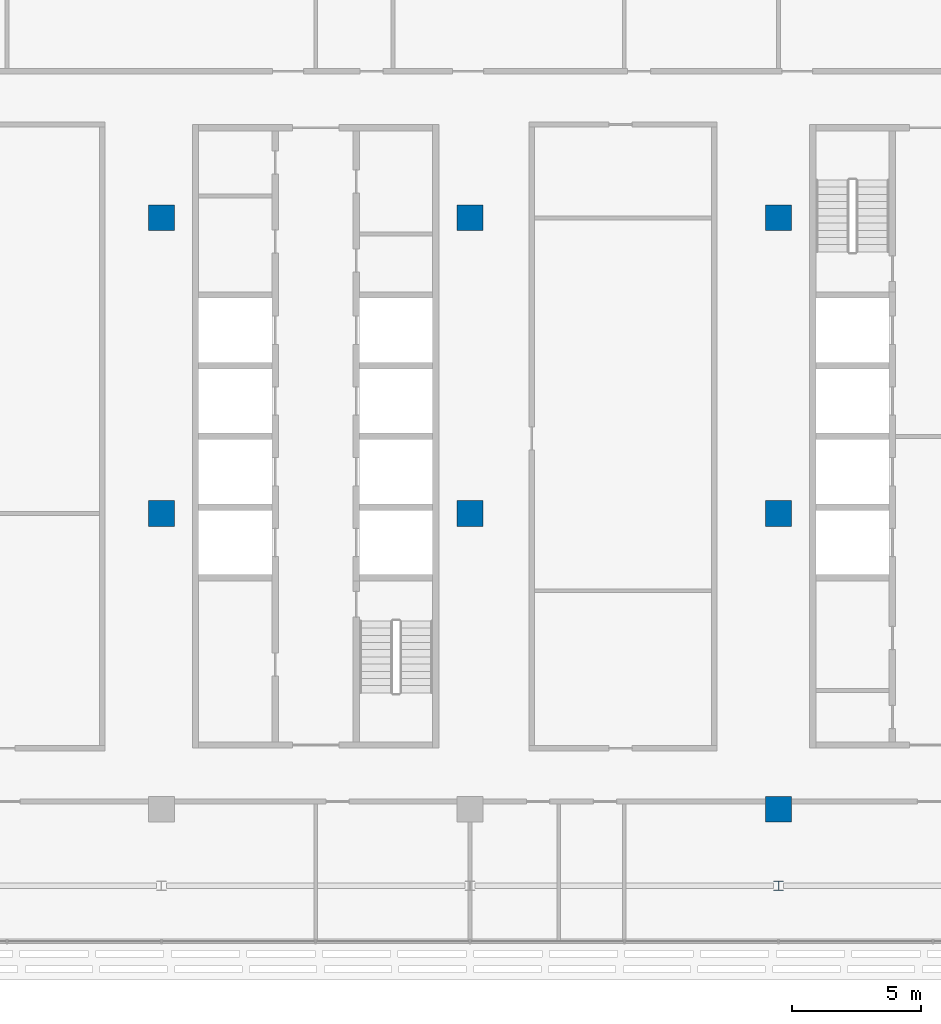
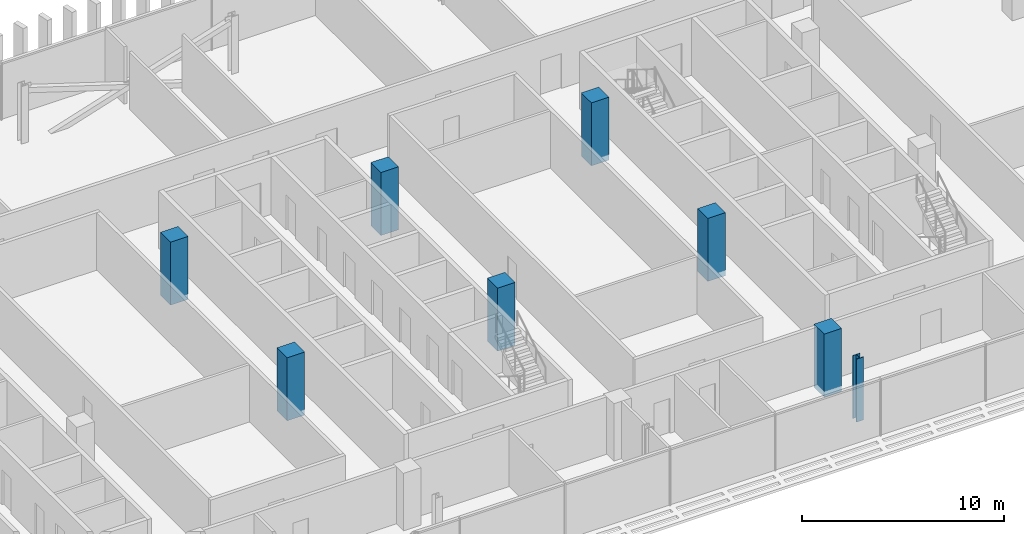
# One storey, part 2 of 32: 8 columns.
"""IFC4 building model written with IfcOpenShell, lengths in metres."""

from ifc_helpers import new_model, si_unit, direction, frame, origin, origin_2d, place, context, subcontext, project, spatial, rectangle, i_section, extrude, material, material_profile, profile_set, type_object, element, save


model = new_model("IFC4")

# Units and contexts
model_context = context("Model", 3, precision=1e-05, world=origin(), true_north=direction((0.0, 1.0)))
body_context = subcontext(model_context, "Body", "Model", "MODEL_VIEW")
ifc_project = project(units=[si_unit("LENGTHUNIT", "METRE"), si_unit("AREAUNIT", "SQUARE_METRE"), si_unit("VOLUMEUNIT", "CUBIC_METRE"), si_unit("PLANEANGLEUNIT", "RADIAN"), si_unit("MASSUNIT", "GRAM", prefix="KILO")], contexts=[model_context])

# Site, building, storey
site_placement = place(None, origin())
site = spatial("IfcSite", under=ifc_project, at=site_placement, CompositionType="ELEMENT")
building_placement = place(site_placement, origin())
building = spatial("IfcBuilding", under=site, at=building_placement, Name="Mahtab Terrace Research Tower", CompositionType="ELEMENT")
storey_placement = place(building_placement, frame((0.0, 0.0, 232.39990234375)))
storey = spatial("IfcBuildingStorey", under=building, at=storey_placement, Name="L56", CompositionType="ELEMENT", Elevation=232.39990234375)

# Columns
ifc_material_1 = material(Name="Concrete C70/85", Category="concrete")
ifc_material_profile_1 = material_profile(ifc_material_1, rectangle(XDim=1.0, YDim=1.0, at=origin_2d()), Name="RC column 1000x1000")
ifc_profile_set_1 = profile_set([ifc_material_profile_1], Name="Concrete C70/85")
column_type_1 = type_object("IfcColumnType", Name="RC column 1000x1000", PredefinedType="COLUMN", material=ifc_profile_set_1)
for number, where, z_axis, x_axis, name in (
    (1, (-6.0, 0.0, -0.33984375), (0.0, 0.0, 1.0), (1.0, 0.0, 0.0), "Column RC-4B L56"),
    (2, (-6.0, 11.5, -0.33984375), (0.0, 0.0, 1.0), (1.0, 0.0, 0.0), "Column RC-4C L56"),
    (3, (6.0, 0.0, -0.33984375), (0.0, 0.0, 1.0), (1.0, 0.0, 0.0), "Column RC-5B L56"),
    (4, (6.0, 11.5, -0.33984375), (0.0, 0.0, 1.0), (1.0, 0.0, 0.0), "Column RC-5C L56"),
    (5, (18.0, -11.5, -0.33984375), (0.0, 0.0, 1.0), (1.0, 0.0, 0.0), "Column RC-6A L56"),
    (6, (18.0, 0.0, -0.33984375), (0.0, 0.0, 1.0), (1.0, 0.0, 0.0), "Column RC-6B L56"),
    (7, (18.0, 11.5, -0.33984375), (0.0, 0.0, 1.0), (1.0, 0.0, 0.0), "Column RC-6C L56"),
):
    element("IfcColumn", number, at=place(storey_placement, frame(where, z_axis=z_axis, x_axis=x_axis)), inside=storey, type_object=column_type_1, Name=name, PredefinedType="COLUMN", context=body_context, shape_type="SweptSolid", body=[
        extrude(rectangle(XDim=1.0, YDim=1.0, at=origin_2d()), origin(), (0.0, 0.0, 1.0), 3.800048828125),
    ])
ifc_material_2 = material(Name="Steel ASTM A992 Gr 50", Category="steel")
ifc_material_profile_2 = material_profile(ifc_material_2, i_section(OverallWidth=0.398681640625, OverallDepth=0.385986328125, WebThickness=0.02099609375, FlangeThickness=0.033203125, at=origin_2d()), Name="W14X176")
ifc_profile_set_2 = profile_set([ifc_material_profile_2], Name="Steel ASTM A992 Gr 50")
column_type_2 = type_object("IfcColumnType", Name="W14x176 column CS14176", PredefinedType="COLUMN", material=ifc_profile_set_2)
column_placement = place(storey_placement, frame((18.0, -14.472900390625, -0.33984375), z_axis=(0.0, 0.0, 1.0), x_axis=(1.0, 0.0, 0.0)))
element("IfcColumn", 8, at=column_placement, inside=storey, type_object=column_type_2, Name="Column SC-066 L56", PredefinedType="COLUMN", context=body_context, shape_type="SweptSolid", body=[
    extrude(i_section(OverallWidth=0.398681640625, OverallDepth=0.385986328125, WebThickness=0.02099609375, FlangeThickness=0.033203125, at=origin_2d()), origin(), (0.0, 0.0, 1.0), 3.800048828125),
])

save(model, "model.ifc")
